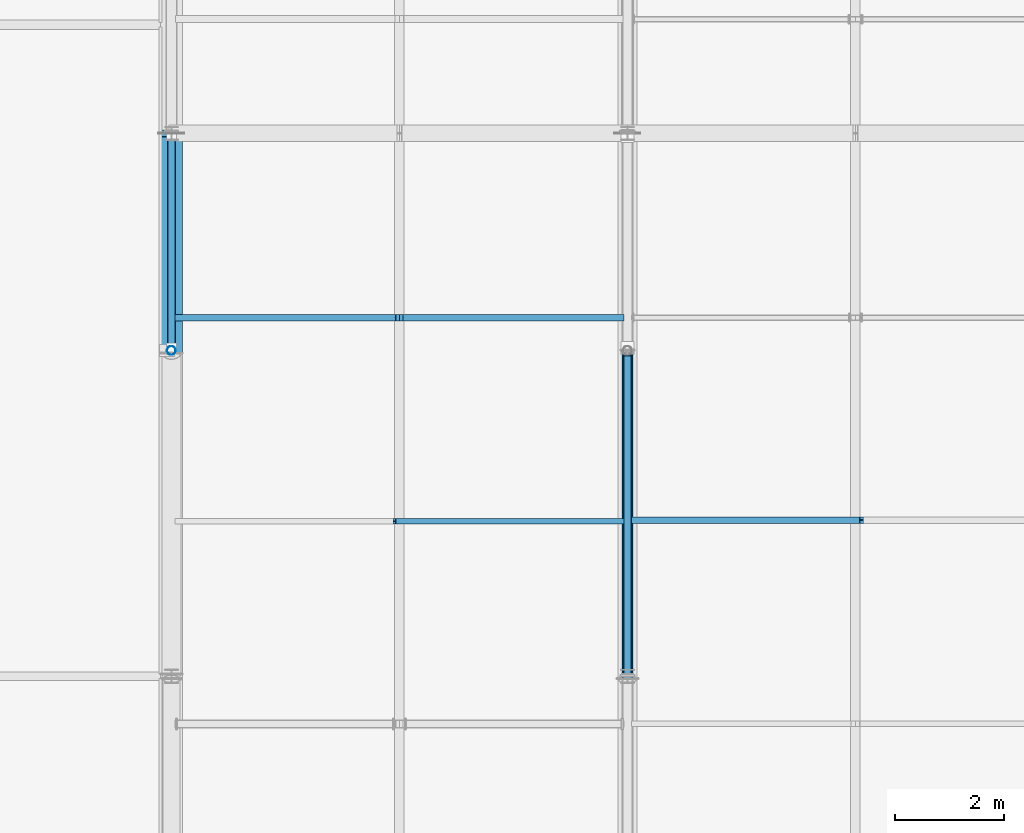
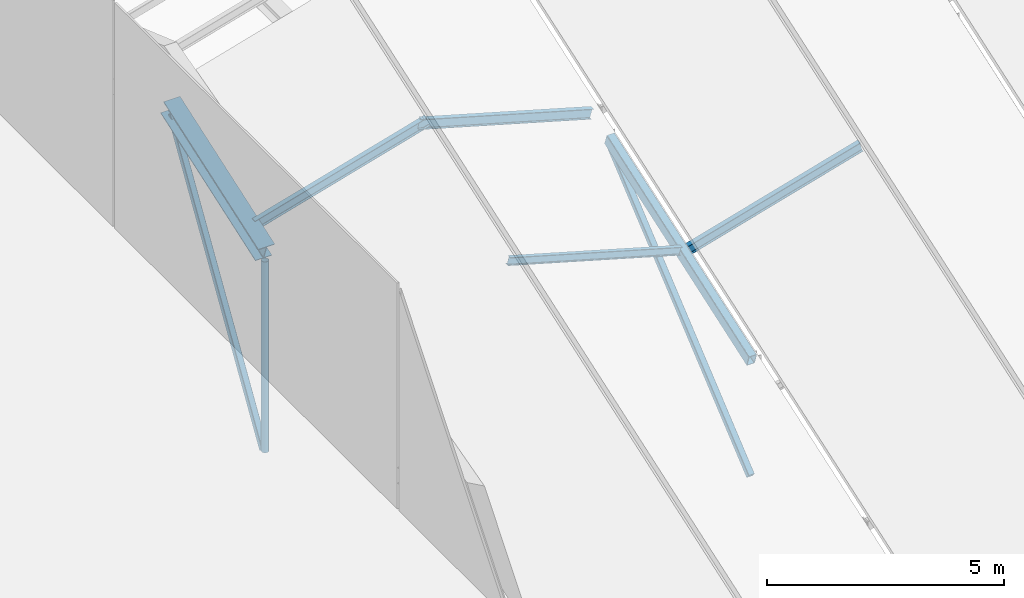
# One storey, part 9 of 77: 9 members.
"""IFC4 building model written with IfcOpenShell, lengths in metres."""

import ifcopenshell
import ifcopenshell.guid

model = None  # the IFC model being written
_history = None  # IfcOwnerHistory: only IFC2X3 demands one
_inside = {}  # id of a spatial element -> (the spatial element, [elements in it])
_under = {}  # id of a project, library or spatial element -> (it, [spatial elements below it])
_declared = {}  # id of a project -> (the project, [libraries it declares])
_typed = {}  # id of a type object -> (the type object, [elements of that type])
_made_of = {}  # id of a material, layer set ... -> (it, [elements and type objects made of it])


def new_model(schema):
    """Start an empty IFC model of exactly this schema.

    Asked for "IFC4X3", IfcOpenShell would pick the latest addendum, in which some entities
    have other attributes; the version numbers below select the first issue.
    IFC2X3 requires an IfcOwnerHistory on every rooted entity: one is made here for all.
    """
    global model, _history
    if schema == "IFC4X3":
        model = ifcopenshell.file(schema_version=(4, 3, 0, 0))
    else:
        model = ifcopenshell.file(schema=schema)
    _inside.clear()
    _under.clear()
    _declared.clear()
    _typed.clear()
    _made_of.clear()
    _history = None
    if model.schema == "IFC2X3":
        org = make("IfcOrganization", Name="unknown")
        user = make(
            "IfcPersonAndOrganization",
            ThePerson=make("IfcPerson", FamilyName="unknown"),
            TheOrganization=org,
        )
        app = make(
            "IfcApplication",
            ApplicationDeveloper=org,
            Version="unknown",
            ApplicationFullName="unknown",
            ApplicationIdentifier="unknown",
        )
        _history = make(
            "IfcOwnerHistory",
            OwningUser=user,
            OwningApplication=app,
            ChangeAction="ADDED",
            CreationDate=0,
        )
    return model


def make(cls, **values):
    """One entity of the class cls with the attributes given. An attribute that is None is left unset."""
    return model.create_entity(
        cls, **{name: value for name, value in values.items() if value is not None}
    )


def rooted(cls, **values):
    """An entity with a GlobalId (a new one), such as an element, a storey or a relation."""
    return make(cls, GlobalId=ifcopenshell.guid.new(), OwnerHistory=_history, **values)


def si_unit(unit_type, name, prefix=None):
    """IfcSIUnit, for example si_unit("LENGTHUNIT", "METRE", prefix="MILLI")."""
    return make("IfcSIUnit", UnitType=unit_type, Prefix=prefix, Name=name)


def assignment(units):
    """IfcUnitAssignment: the units of a project."""
    return None if units is None else make("IfcUnitAssignment", Units=units)


def point(xyz):
    """IfcCartesianPoint."""
    return None if xyz is None else make("IfcCartesianPoint", Coordinates=xyz)


def direction(xyz):
    """IfcDirection."""
    return None if xyz is None else make("IfcDirection", DirectionRatios=xyz)


def frame(location, z_axis=None, x_axis=None):
    """IfcAxis2Placement3D, a coordinate frame: its origin and axes. An axis left out is left unset."""
    return make(
        "IfcAxis2Placement3D",
        Location=point(location),
        Axis=direction(z_axis),
        RefDirection=direction(x_axis),
    )


def frame_2d(location, x_axis=None):
    """IfcAxis2Placement2D, a coordinate frame in the plane: its origin and x axis."""
    return make(
        "IfcAxis2Placement2D", Location=point(location), RefDirection=direction(x_axis)
    )


def origin():
    """The frame at (0, 0, 0) with its axes left unset."""
    return frame((0.0, 0.0, 0.0))


def origin_2d():
    """The frame at (0, 0) in the plane with its x axis left unset."""
    return frame_2d((0.0, 0.0))


def place(relative_to, where):
    """IfcLocalPlacement: puts the frame where relative to a parent placement (None: the world)."""
    return make(
        "IfcLocalPlacement", PlacementRelTo=relative_to, RelativePlacement=where
    )


def context(
    kind, dimensions, precision=None, world=None, true_north=None, identifier=None
):
    """IfcGeometricRepresentationContext, for example the 3D "Model" context."""
    return make(
        "IfcGeometricRepresentationContext",
        ContextIdentifier=identifier,
        ContextType=kind,
        CoordinateSpaceDimension=dimensions,
        Precision=precision,
        WorldCoordinateSystem=world,
        TrueNorth=true_north,
    )


def subcontext(parent, identifier, kind, view, scale=None):
    """IfcGeometricRepresentationSubContext, for example "Body" below "Model"."""
    return make(
        "IfcGeometricRepresentationSubContext",
        ContextIdentifier=identifier,
        ContextType=kind,
        ParentContext=parent,
        TargetScale=scale,
        TargetView=view,
    )


def project(units=None, contexts=None):
    """IfcProject with its units and contexts."""
    return rooted(
        "IfcProject",
        Name="project",
        RepresentationContexts=contexts,
        UnitsInContext=assignment(units),
    )


def spatial(cls, under=None, at=None, **own):
    """A site, building, storey or space (cls), placed at a placement, below another one or the project."""
    s = rooted(cls, ObjectPlacement=at, **own)
    if under is not None:
        _under.setdefault(under.id(), (under, []))[1].append(s)
    return s


def profile(cls, at=None, kind="AREA", **sizes):
    """A parametric profile (cls). Its sizes go by their IFC names, for example OverallWidth=200.0."""
    return make(cls, ProfileType=kind, Position=at, **sizes)


def hollow_rectangle(**sizes):
    """IfcRectangleHollowProfileDef."""
    return profile("IfcRectangleHollowProfileDef", **sizes)


def hollow_circle(**sizes):
    """IfcCircleHollowProfileDef."""
    return profile("IfcCircleHollowProfileDef", **sizes)


def i_section(**sizes):
    """IfcIShapeProfileDef."""
    return profile("IfcIShapeProfileDef", **sizes)


def extrude(swept, where, along, depth):
    """IfcExtrudedAreaSolid: the profile swept, set in the frame where, extruded along a direction by depth."""
    return make(
        "IfcExtrudedAreaSolid",
        SweptArea=swept,
        Position=where,
        ExtrudedDirection=direction(along),
        Depth=depth,
    )


def shape(context_of_items, identifier, shape_type, items):
    """IfcShapeRepresentation: the items that make up one representation, for example the "Body"."""
    return make(
        "IfcShapeRepresentation",
        ContextOfItems=context_of_items,
        RepresentationIdentifier=identifier,
        RepresentationType=shape_type,
        Items=items,
    )


def material(Name=None, Category=None):
    """IfcMaterial."""
    return make("IfcMaterial", Name=Name, Category=Category)


def material_profile(
    of_material, cross_section, Name=None, Category=None, Priority=None
):
    """IfcMaterialProfile: a cross section and its material."""
    return make(
        "IfcMaterialProfile",
        Name=Name,
        Material=of_material,
        Profile=cross_section,
        Priority=Priority,
        Category=Category,
    )


def profile_set(profiles, Name=None, composite=None):
    """IfcMaterialProfileSet."""
    return make(
        "IfcMaterialProfileSet",
        Name=Name,
        MaterialProfiles=profiles,
        CompositeProfile=composite,
    )


def made_of(thing, what):
    """Note that an element or type object is made of a material, layer set ...; save() writes the relation."""
    if what is not None:
        _made_of.setdefault(what.id(), (what, []))[1].append(thing)
    return thing


def type_object(cls, material=None, **own):
    """A type object (cls), such as IfcWallType, which elements share."""
    return made_of(rooted(cls, **own), material)


def element(
    cls,
    number,
    at=None,
    inside=None,
    cuts=None,
    type_object=None,
    material=None,
    context=None,
    identifier="Body",
    shape_type=None,
    held_by="IfcProductDefinitionShape",
    body=None,
    shapes=None,
    **own,
):
    """One element of the class cls, such as IfcWall. Its Tag is "e" and its number.

    at: its placement. inside: the storey or other place that contains it. cuts: it is an
    opening in that element (IfcRelVoidsElement). A single representation is given by context,
    identifier, shape_type and body (its items); several are given by shapes. held_by: the class
    of the entity that holds the representations. save() writes the other relations.
    """
    e = rooted(cls, Tag="e%d" % number, ObjectPlacement=at, **own)
    if body is not None:
        shapes = [shape(context, identifier, shape_type, body)]
    if shapes is not None:
        e.Representation = make(held_by, Representations=shapes)
    if inside is not None:
        _inside.setdefault(inside.id(), (inside, []))[1].append(e)
    if cuts is not None:
        rooted(
            "IfcRelVoidsElement", RelatingBuildingElement=cuts, RelatedOpeningElement=e
        )
    if type_object is not None:
        _typed.setdefault(type_object.id(), (type_object, []))[1].append(e)
    return made_of(e, material)


def aggregate(whole, parts):
    """IfcRelAggregates: a whole, such as a stair, and the parts it consists of."""
    return rooted("IfcRelAggregates", RelatingObject=whole, RelatedObjects=parts)


def save(model, path):
    """Write the relations noted so far, then the file.

    IfcRelAggregates (storeys below a building ...), IfcRelContainedInSpatialStructure (elements
    in a storey), IfcRelDefinesByType, IfcRelAssociatesMaterial and IfcRelDeclares: one each for
    every whole, place, type object, material and project.
    """
    for whole, parts in _under.values():
        aggregate(whole, parts)
    for where, things in _inside.values():
        rooted(
            "IfcRelContainedInSpatialStructure",
            RelatedElements=things,
            RelatingStructure=where,
        )
    for kind, things in _typed.values():
        rooted("IfcRelDefinesByType", RelatedObjects=things, RelatingType=kind)
    for what, things in _made_of.values():
        rooted("IfcRelAssociatesMaterial", RelatedObjects=things, RelatingMaterial=what)
    for by, libraries in _declared.values():
        rooted("IfcRelDeclares", RelatingContext=by, RelatedDefinitions=libraries)
    model.write(path)


model = new_model("IFC4")

# Units and contexts
model_context = context("Model", 3, precision=1e-05, world=origin(), true_north=direction((0.0, 1.0)))
body_context = subcontext(model_context, "Body", "Model", "MODEL_VIEW")
ifc_project = project(units=[si_unit("LENGTHUNIT", "METRE"), si_unit("AREAUNIT", "SQUARE_METRE"), si_unit("VOLUMEUNIT", "CUBIC_METRE"), si_unit("PLANEANGLEUNIT", "RADIAN"), si_unit("MASSUNIT", "GRAM", prefix="KILO")], contexts=[model_context])

# Site, building, storey
site_placement = place(None, origin())
site = spatial("IfcSite", under=ifc_project, at=site_placement, CompositionType="ELEMENT")
building_placement = place(site_placement, origin())
building = spatial("IfcBuilding", under=site, at=building_placement, Name="Larkvane Passage Sports Hall", CompositionType="ELEMENT")
storey_placement = place(building_placement, frame((0.0, 0.0, 22.199951171875)))
storey = spatial("IfcBuildingStorey", under=building, at=storey_placement, Name="RF", CompositionType="ELEMENT", Elevation=22.199951171875)

# Members
ifc_material_1 = material(Name="Steel S355JR", Category="steel")
ifc_material_profile_1 = material_profile(ifc_material_1, hollow_rectangle(XDim=0.14990234375, YDim=0.14990234375, WallThickness=0.008056640625, InnerFilletRadius=0.008056640625, OuterFilletRadius=0.01611328125, at=origin_2d()), Name="SHS-150x150x8")
ifc_profile_set_1 = profile_set([ifc_material_profile_1], Name="Steel S355JR")
member_type_1 = type_object("IfcMemberType", Name="MBR-BR-SHS150", PredefinedType="BRACE", material=ifc_profile_set_1)
member_1_placement = place(storey_placement, frame((34.800048828125, 57.64990234375, 0.18994140625), z_axis=(0.0, 0.52636595779, 0.850258124618), x_axis=(-1.0, 0.0, 0.0)))
element("IfcMember", 1, at=member_1_placement, inside=storey, type_object=member_type_1, Name="Arena roof truss 1 web brace 4", PredefinedType="BRACE", context=body_context, shape_type="SweptSolid", body=[
    extrude(hollow_rectangle(XDim=0.14990234375, YDim=0.14990234375, WallThickness=0.008056640625, InnerFilletRadius=0.008056640625, OuterFilletRadius=0.01611328125, at=origin_2d()), origin(), (0.0, 0.0, 1.0), 7.40966796875),
])
member_2_placement = place(storey_placement, frame((43.199951171875, 51.64990234375, 0.215087890625), z_axis=(0.0, 0.766536517068, 0.642200722517), x_axis=(-1.0, 0.0, 0.0)))
element("IfcMember", 2, at=member_2_placement, inside=storey, type_object=member_type_1, Name="Arena roof truss 2 web brace 3", PredefinedType="BRACE", context=body_context, shape_type="SweptSolid", body=[
    extrude(hollow_rectangle(XDim=0.14990234375, YDim=0.14990234375, WallThickness=0.008056640625, InnerFilletRadius=0.008056640625, OuterFilletRadius=0.01611328125, at=origin_2d()), origin(), (0.0, 0.0, 1.0), 7.697265625),
])
ifc_material_2 = material(Name="Steel S460N", Category="steel")
ifc_material_profile_2 = material_profile(ifc_material_2, i_section(OverallWidth=0.39990234375, OverallDepth=0.39990234375, WebThickness=0.012939453125, FlangeThickness=0.02099609375, FilletRadius=0.02197265625, at=origin_2d()), Name="H-400x400x13x21")
ifc_profile_set_2 = profile_set([ifc_material_profile_2], Name="Steel S460N")
member_type_2 = type_object("IfcMemberType", Name="MBR-CH-H400", PredefinedType="CHORD", material=ifc_profile_set_2)
member_3_placement = place(storey_placement, frame((34.800048828125, 57.60009765625, 5.29833984375), z_axis=(0.0, 0.945206714131, 0.326472460649), x_axis=(-1.0, 0.0, 0.0)))
element("IfcMember", 3, at=member_3_placement, inside=storey, type_object=member_type_2, Name="Arena roof truss 1 top chord 4", PredefinedType="CHORD", context=body_context, shape_type="SweptSolid", body=[
    extrude(i_section(OverallWidth=0.39990234375, OverallDepth=0.39990234375, WebThickness=0.012939453125, FlangeThickness=0.02099609375, FilletRadius=0.02197265625, at=origin_2d()), origin(), (0.0, 0.0, 1.0), 4.23193359375),
])
ifc_material_profile_3 = material_profile(ifc_material_2, hollow_rectangle(XDim=0.199951171875, YDim=0.300048828125, WallThickness=0.011962890625, InnerFilletRadius=0.011962890625, OuterFilletRadius=0.02392578125, at=origin_2d()), Name="RHS-300x200x12")
ifc_profile_set_3 = profile_set([ifc_material_profile_3], Name="Steel S460N")
member_type_3 = type_object("IfcMemberType", Name="MBR-CH-RHS300", PredefinedType="CHORD", material=ifc_profile_set_3)
member_4_placement = place(storey_placement, frame((43.199951171875, 51.60009765625, 3.2255859375), z_axis=(0.0, 0.945188910593, 0.326524001096), x_axis=(-1.0, 0.0, 0.0)))
element("IfcMember", 4, at=member_4_placement, inside=storey, type_object=member_type_3, Name="Arena roof truss 2 top chord 3", PredefinedType="CHORD", context=body_context, shape_type="SweptSolid", body=[
    extrude(hollow_rectangle(XDim=0.199951171875, YDim=0.300048828125, WallThickness=0.011962890625, InnerFilletRadius=0.011962890625, OuterFilletRadius=0.02392578125, at=origin_2d()), origin(), (0.0, 0.0, 1.0), 6.347900390625),
])
ifc_material_profile_4 = material_profile(ifc_material_1, i_section(OverallWidth=0.10009765625, OverallDepth=0.199951171875, WebThickness=0.005615234375, FlangeThickness=0.008056640625, FilletRadius=0.008056640625, at=origin_2d()), Name="H-200x100x5.5x8")
ifc_profile_set_4 = profile_set([ifc_material_profile_4], Name="Steel S355JR")
member_type_4 = type_object("IfcMemberType", Name="MBR-PR-H200", PredefinedType="PURLIN", material=ifc_profile_set_4)
member_5_placement = place(storey_placement, frame((38.90478515625, 54.455078125, 5.55908203125), z_axis=(0.961511291812, 0.0, -0.274765419436), x_axis=(0.0, 1.0, 0.0)))
element("IfcMember", 5, at=member_5_placement, inside=storey, type_object=member_type_4, Name="Folded roof purlin FRP-B1-SE-4", PredefinedType="PURLIN", context=body_context, shape_type="SweptSolid", body=[
    extrude(i_section(OverallWidth=0.10009765625, OverallDepth=0.199951171875, WebThickness=0.005615234375, FlangeThickness=0.008056640625, FilletRadius=0.008056640625, at=origin_2d()), origin(), (0.0, 0.0, 1.0), 4.3681640625),
])
ifc_material_profile_5 = material_profile(ifc_material_1, i_section(OverallWidth=0.125, OverallDepth=0.25, WebThickness=0.006103515625, FlangeThickness=0.009033203125, FilletRadius=0.008056640625, at=origin_2d()), Name="H-250x125x6x9")
ifc_profile_set_5 = profile_set([ifc_material_profile_5], Name="Steel S355JR")
member_type_5 = type_object("IfcMemberType", Name="MBR-PR-H250", PredefinedType="PURLIN", material=ifc_profile_set_5)
for number, where, z_axis, x_axis, name in (
    (6, (34.901611328125, 58.202880859375, 5.628173828125), (0.96152605678, 0.0, 0.274713745804), (0.0, 1.0, 0.0), "Folded roof purlin FRP-B1-SW-5"),
    (7, (38.8984375, 58.202880859375, 6.828125), (0.96152605678, 0.0, -0.274713745804), (0.0, 1.0, 0.0), "Folded roof purlin FRP-B1-SE-5"),
):
    element("IfcMember", number, at=place(storey_placement, frame(where, z_axis=z_axis, x_axis=x_axis)), inside=storey, type_object=member_type_5, Name=name, PredefinedType="PURLIN", context=body_context, shape_type="SweptSolid", body=[
        extrude(i_section(OverallWidth=0.125, OverallDepth=0.25, WebThickness=0.006103515625, FlangeThickness=0.009033203125, FilletRadius=0.008056640625, at=origin_2d()), origin(), (0.0, 0.0, 1.0), 4.367919921875),
    ])
member_6_placement = place(storey_placement, frame((43.31201171875, 54.4755859375, 4.299560546875), z_axis=(0.961515511102, 0.0, 0.274750654067), x_axis=(0.0, 1.0, 0.0)))
element("IfcMember", 8, at=member_6_placement, inside=storey, type_object=member_type_5, Name="Folded roof purlin FRP-B2-SW-4", PredefinedType="PURLIN", context=body_context, shape_type="SweptSolid", body=[
    extrude(i_section(OverallWidth=0.125, OverallDepth=0.25, WebThickness=0.006103515625, FlangeThickness=0.009033203125, FilletRadius=0.008056640625, at=origin_2d()), origin(), (0.0, 0.0, 1.0), 4.368408203125),
])
ifc_material_profile_6 = material_profile(ifc_material_1, hollow_circle(Radius=0.08251953125, WallThickness=0.006103515625, at=origin_2d()), Name="CHS-165.2x6.0")
ifc_profile_set_6 = profile_set([ifc_material_profile_6], Name="Steel S355JR")
member_type_6 = type_object("IfcMemberType", Name="MBR-ST-CHS165", PredefinedType="STRUT", material=ifc_profile_set_6)
member_7_placement = place(storey_placement, frame((34.800048828125, 57.60009765625, 0.18994140625), z_axis=(0.0, 0.0, 1.0), x_axis=(1.0, 0.0, 0.0)))
element("IfcMember", 9, at=member_7_placement, inside=storey, type_object=member_type_6, Name="Arena roof truss 1 vertical strut 3", PredefinedType="STRUT", context=body_context, shape_type="SweptSolid", body=[
    extrude(hollow_circle(Radius=0.08251953125, WallThickness=0.006103515625, at=origin_2d()), origin(), (0.0, 0.0, 1.0), 4.918212890625),
])

save(model, "model.ifc")
